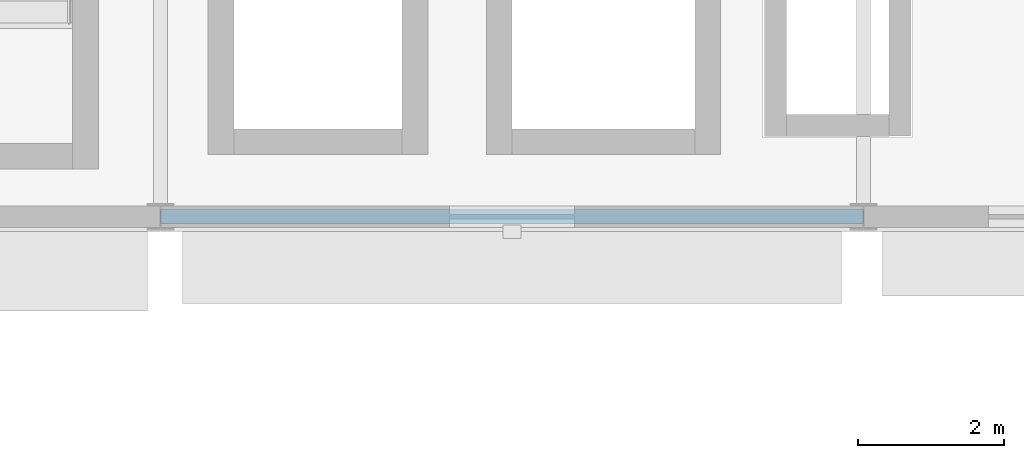
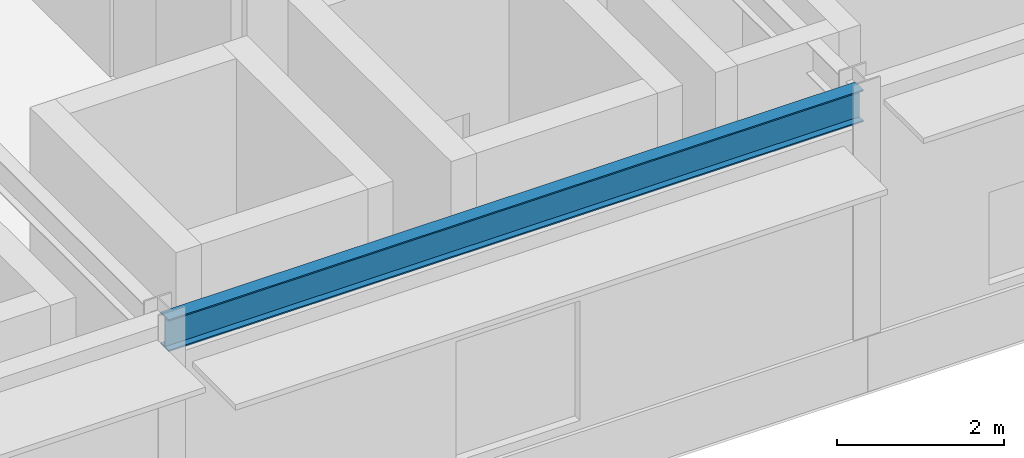
# One storey, part 45 of 133: 1 beam.
"""IFC4 building model written with IfcOpenShell, lengths in metres."""

import ifcopenshell
import ifcopenshell.guid

model = None  # the IFC model being written
_history = None  # IfcOwnerHistory: only IFC2X3 demands one
_inside = {}  # id of a spatial element -> (the spatial element, [elements in it])
_under = {}  # id of a project, library or spatial element -> (it, [spatial elements below it])
_declared = {}  # id of a project -> (the project, [libraries it declares])
_typed = {}  # id of a type object -> (the type object, [elements of that type])
_made_of = {}  # id of a material, layer set ... -> (it, [elements and type objects made of it])


def new_model(schema):
    """Start an empty IFC model of exactly this schema.

    Asked for "IFC4X3", IfcOpenShell would pick the latest addendum, in which some entities
    have other attributes; the version numbers below select the first issue.
    IFC2X3 requires an IfcOwnerHistory on every rooted entity: one is made here for all.
    """
    global model, _history
    if schema == "IFC4X3":
        model = ifcopenshell.file(schema_version=(4, 3, 0, 0))
    else:
        model = ifcopenshell.file(schema=schema)
    _inside.clear()
    _under.clear()
    _declared.clear()
    _typed.clear()
    _made_of.clear()
    _history = None
    if model.schema == "IFC2X3":
        org = make("IfcOrganization", Name="unknown")
        user = make(
            "IfcPersonAndOrganization",
            ThePerson=make("IfcPerson", FamilyName="unknown"),
            TheOrganization=org,
        )
        app = make(
            "IfcApplication",
            ApplicationDeveloper=org,
            Version="unknown",
            ApplicationFullName="unknown",
            ApplicationIdentifier="unknown",
        )
        _history = make(
            "IfcOwnerHistory",
            OwningUser=user,
            OwningApplication=app,
            ChangeAction="ADDED",
            CreationDate=0,
        )
    return model


def make(cls, **values):
    """One entity of the class cls with the attributes given. An attribute that is None is left unset."""
    return model.create_entity(
        cls, **{name: value for name, value in values.items() if value is not None}
    )


def rooted(cls, **values):
    """An entity with a GlobalId (a new one), such as an element, a storey or a relation."""
    return make(cls, GlobalId=ifcopenshell.guid.new(), OwnerHistory=_history, **values)


def si_unit(unit_type, name, prefix=None):
    """IfcSIUnit, for example si_unit("LENGTHUNIT", "METRE", prefix="MILLI")."""
    return make("IfcSIUnit", UnitType=unit_type, Prefix=prefix, Name=name)


def assignment(units):
    """IfcUnitAssignment: the units of a project."""
    return None if units is None else make("IfcUnitAssignment", Units=units)


def point(xyz):
    """IfcCartesianPoint."""
    return None if xyz is None else make("IfcCartesianPoint", Coordinates=xyz)


def direction(xyz):
    """IfcDirection."""
    return None if xyz is None else make("IfcDirection", DirectionRatios=xyz)


def frame(location, z_axis=None, x_axis=None):
    """IfcAxis2Placement3D, a coordinate frame: its origin and axes. An axis left out is left unset."""
    return make(
        "IfcAxis2Placement3D",
        Location=point(location),
        Axis=direction(z_axis),
        RefDirection=direction(x_axis),
    )


def frame_2d(location, x_axis=None):
    """IfcAxis2Placement2D, a coordinate frame in the plane: its origin and x axis."""
    return make(
        "IfcAxis2Placement2D", Location=point(location), RefDirection=direction(x_axis)
    )


def origin():
    """The frame at (0, 0, 0) with its axes left unset."""
    return frame((0.0, 0.0, 0.0))


def origin_2d():
    """The frame at (0, 0) in the plane with its x axis left unset."""
    return frame_2d((0.0, 0.0))


def place(relative_to, where):
    """IfcLocalPlacement: puts the frame where relative to a parent placement (None: the world)."""
    return make(
        "IfcLocalPlacement", PlacementRelTo=relative_to, RelativePlacement=where
    )


def context(
    kind, dimensions, precision=None, world=None, true_north=None, identifier=None
):
    """IfcGeometricRepresentationContext, for example the 3D "Model" context."""
    return make(
        "IfcGeometricRepresentationContext",
        ContextIdentifier=identifier,
        ContextType=kind,
        CoordinateSpaceDimension=dimensions,
        Precision=precision,
        WorldCoordinateSystem=world,
        TrueNorth=true_north,
    )


def subcontext(parent, identifier, kind, view, scale=None):
    """IfcGeometricRepresentationSubContext, for example "Body" below "Model"."""
    return make(
        "IfcGeometricRepresentationSubContext",
        ContextIdentifier=identifier,
        ContextType=kind,
        ParentContext=parent,
        TargetScale=scale,
        TargetView=view,
    )


def project(units=None, contexts=None):
    """IfcProject with its units and contexts."""
    return rooted(
        "IfcProject",
        Name="project",
        RepresentationContexts=contexts,
        UnitsInContext=assignment(units),
    )


def spatial(cls, under=None, at=None, **own):
    """A site, building, storey or space (cls), placed at a placement, below another one or the project."""
    s = rooted(cls, ObjectPlacement=at, **own)
    if under is not None:
        _under.setdefault(under.id(), (under, []))[1].append(s)
    return s


def profile(cls, at=None, kind="AREA", **sizes):
    """A parametric profile (cls). Its sizes go by their IFC names, for example OverallWidth=200.0."""
    return make(cls, ProfileType=kind, Position=at, **sizes)


def i_section(**sizes):
    """IfcIShapeProfileDef."""
    return profile("IfcIShapeProfileDef", **sizes)


def extrude(swept, where, along, depth):
    """IfcExtrudedAreaSolid: the profile swept, set in the frame where, extruded along a direction by depth."""
    return make(
        "IfcExtrudedAreaSolid",
        SweptArea=swept,
        Position=where,
        ExtrudedDirection=direction(along),
        Depth=depth,
    )


def shape(context_of_items, identifier, shape_type, items):
    """IfcShapeRepresentation: the items that make up one representation, for example the "Body"."""
    return make(
        "IfcShapeRepresentation",
        ContextOfItems=context_of_items,
        RepresentationIdentifier=identifier,
        RepresentationType=shape_type,
        Items=items,
    )


def material(Name=None, Category=None):
    """IfcMaterial."""
    return make("IfcMaterial", Name=Name, Category=Category)


def material_profile(
    of_material, cross_section, Name=None, Category=None, Priority=None
):
    """IfcMaterialProfile: a cross section and its material."""
    return make(
        "IfcMaterialProfile",
        Name=Name,
        Material=of_material,
        Profile=cross_section,
        Priority=Priority,
        Category=Category,
    )


def profile_set(profiles, Name=None, composite=None):
    """IfcMaterialProfileSet."""
    return make(
        "IfcMaterialProfileSet",
        Name=Name,
        MaterialProfiles=profiles,
        CompositeProfile=composite,
    )


def made_of(thing, what):
    """Note that an element or type object is made of a material, layer set ...; save() writes the relation."""
    if what is not None:
        _made_of.setdefault(what.id(), (what, []))[1].append(thing)
    return thing


def type_object(cls, material=None, **own):
    """A type object (cls), such as IfcWallType, which elements share."""
    return made_of(rooted(cls, **own), material)


def element(
    cls,
    number,
    at=None,
    inside=None,
    cuts=None,
    type_object=None,
    material=None,
    context=None,
    identifier="Body",
    shape_type=None,
    held_by="IfcProductDefinitionShape",
    body=None,
    shapes=None,
    **own,
):
    """One element of the class cls, such as IfcWall. Its Tag is "e" and its number.

    at: its placement. inside: the storey or other place that contains it. cuts: it is an
    opening in that element (IfcRelVoidsElement). A single representation is given by context,
    identifier, shape_type and body (its items); several are given by shapes. held_by: the class
    of the entity that holds the representations. save() writes the other relations.
    """
    e = rooted(cls, Tag="e%d" % number, ObjectPlacement=at, **own)
    if body is not None:
        shapes = [shape(context, identifier, shape_type, body)]
    if shapes is not None:
        e.Representation = make(held_by, Representations=shapes)
    if inside is not None:
        _inside.setdefault(inside.id(), (inside, []))[1].append(e)
    if cuts is not None:
        rooted(
            "IfcRelVoidsElement", RelatingBuildingElement=cuts, RelatedOpeningElement=e
        )
    if type_object is not None:
        _typed.setdefault(type_object.id(), (type_object, []))[1].append(e)
    return made_of(e, material)


def aggregate(whole, parts):
    """IfcRelAggregates: a whole, such as a stair, and the parts it consists of."""
    return rooted("IfcRelAggregates", RelatingObject=whole, RelatedObjects=parts)


def save(model, path):
    """Write the relations noted so far, then the file.

    IfcRelAggregates (storeys below a building ...), IfcRelContainedInSpatialStructure (elements
    in a storey), IfcRelDefinesByType, IfcRelAssociatesMaterial and IfcRelDeclares: one each for
    every whole, place, type object, material and project.
    """
    for whole, parts in _under.values():
        aggregate(whole, parts)
    for where, things in _inside.values():
        rooted(
            "IfcRelContainedInSpatialStructure",
            RelatedElements=things,
            RelatingStructure=where,
        )
    for kind, things in _typed.values():
        rooted("IfcRelDefinesByType", RelatedObjects=things, RelatingType=kind)
    for what, things in _made_of.values():
        rooted("IfcRelAssociatesMaterial", RelatedObjects=things, RelatingMaterial=what)
    for by, libraries in _declared.values():
        rooted("IfcRelDeclares", RelatingContext=by, RelatedDefinitions=libraries)
    model.write(path)


model = new_model("IFC4")

# Units and contexts
model_context = context("Model", 3, precision=1e-05, world=origin(), true_north=direction((0.0, 1.0)))
body_context = subcontext(model_context, "Body", "Model", "MODEL_VIEW")
ifc_project = project(units=[si_unit("LENGTHUNIT", "METRE"), si_unit("AREAUNIT", "SQUARE_METRE"), si_unit("VOLUMEUNIT", "CUBIC_METRE"), si_unit("PLANEANGLEUNIT", "RADIAN"), si_unit("MASSUNIT", "GRAM", prefix="KILO")], contexts=[model_context])

# Site, building, storey
site_placement = place(None, origin())
site = spatial("IfcSite", under=ifc_project, at=site_placement, CompositionType="ELEMENT")
building_placement = place(site_placement, origin())
building = spatial("IfcBuilding", under=site, at=building_placement, Name="Almandine Court Research Institute", CompositionType="ELEMENT")
storey_placement = place(building_placement, frame((0.0, 0.0, 9.800048828125)))
storey = spatial("IfcBuildingStorey", under=building, at=storey_placement, Name="L02", CompositionType="ELEMENT", Elevation=9.800048828125)

# Beam
ifc_material = material(Name="Steel ASTM A992 Grade 50", Category="steel")
ifc_material_profile = material_profile(ifc_material, i_section(OverallWidth=0.193115234375, OverallDepth=0.466064453125, WebThickness=0.010986328125, FlangeThickness=0.01904296875, at=origin_2d()), Name="W460x97")
ifc_profile_set = profile_set([ifc_material_profile], Name="Steel ASTM A992 Grade 50")
beam_type = type_object("IfcBeamType", Name="Beam-G-06-E", PredefinedType="SPANDREL", material=ifc_profile_set)
beam_placement = place(storey_placement, frame((15.60009765625, 84.0, 4.136962890625), z_axis=(1.0, 0.0, 0.0), x_axis=(0.0, 1.0, 0.0)))
element("IfcBeam", 1, at=beam_placement, inside=storey, type_object=beam_type, Name="L02 V3 Primary X Girder", PredefinedType="SPANDREL", context=body_context, shape_type="SweptSolid", body=[
    extrude(i_section(OverallWidth=0.193115234375, OverallDepth=0.466064453125, WebThickness=0.010986328125, FlangeThickness=0.01904296875, at=origin_2d()), origin(), (0.0, 0.0, 1.0), 9.599853515625),
])

save(model, "model.ifc")
